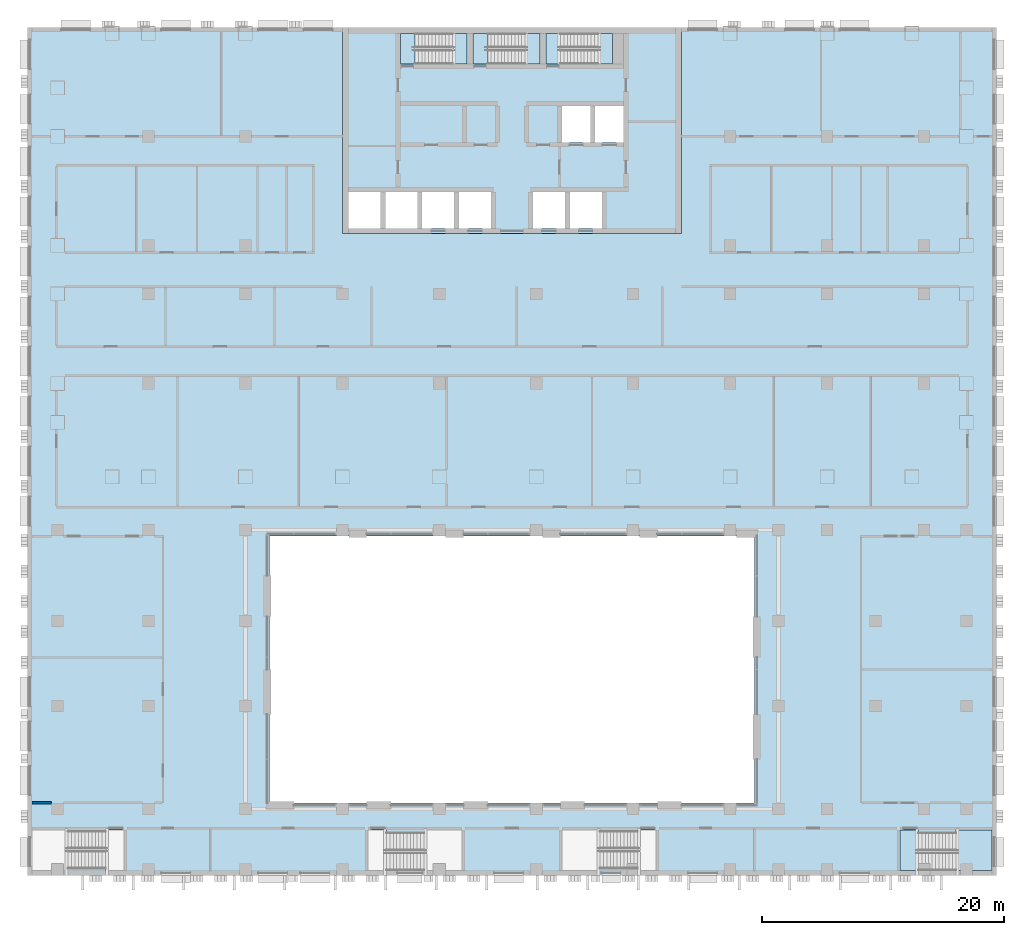
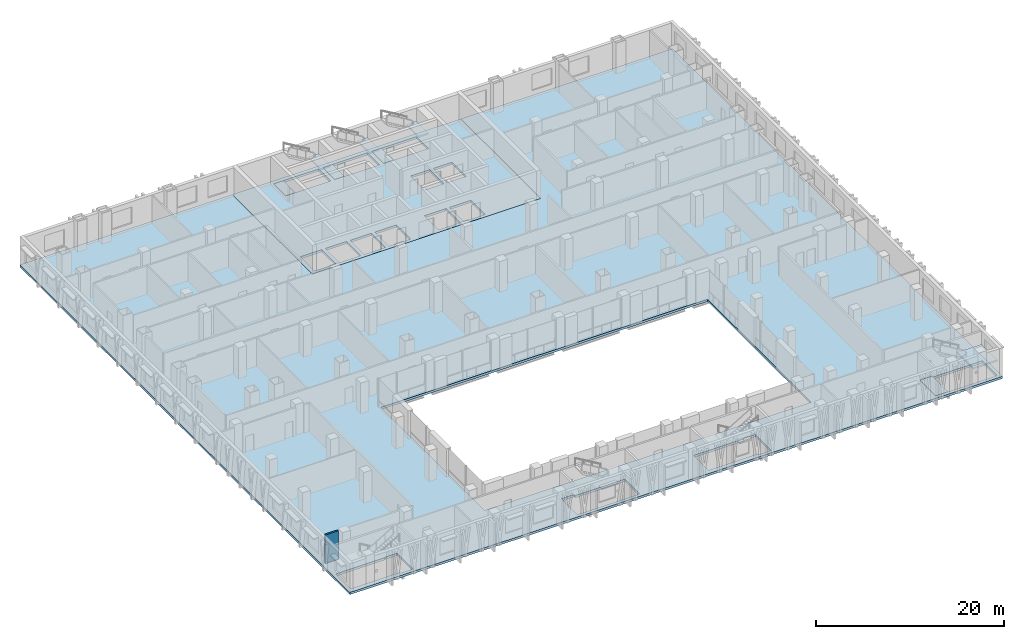
# One storey, part 7 of 26: 10 slabs, 1 wall, 4 elements without a shape of their own.
"""IFC4 building model written with IfcOpenShell, lengths in metres."""

from ifc_helpers import new_model, si_unit, direction, frame, frame_2d, origin, place, context, subcontext, project, spatial, polyline, rectangle, outline, extrude, material, layer, layer_set, type_object, element, aggregate, save


model = new_model("IFC4")

# Units and contexts
model_context = context("Model", 3, precision=1e-05, world=origin(), true_north=direction((0.0, 1.0)))
body_context = subcontext(model_context, "Body", "Model", "MODEL_VIEW")
ifc_project = project(units=[si_unit("LENGTHUNIT", "METRE"), si_unit("AREAUNIT", "SQUARE_METRE"), si_unit("VOLUMEUNIT", "CUBIC_METRE"), si_unit("PLANEANGLEUNIT", "RADIAN"), si_unit("MASSUNIT", "GRAM", prefix="KILO")], contexts=[model_context])

# Site, building, storey
site_placement = place(None, origin())
site = spatial("IfcSite", under=ifc_project, at=site_placement, CompositionType="ELEMENT")
building_placement = place(site_placement, origin())
building = spatial("IfcBuilding", under=site, at=building_placement, Name="Vidyagriha Tower", CompositionType="ELEMENT")
storey_placement = place(building_placement, frame((0.0, 0.0, 6.0)))
storey = spatial("IfcBuildingStorey", under=building, at=storey_placement, Name="L01", CompositionType="ELEMENT", Elevation=6.0)

# Slabs
ifc_material_1 = material(Name="Concrete C60/75", Category="concrete")
ifc_layer_1 = layer(ifc_material_1, 0.300048828125)
ifc_layer_set_1 = layer_set([ifc_layer_1], Name="Concrete C60/75")
slab_type_1 = type_object("IfcSlabType", Name="Core floor slab 300 mm", PredefinedType="FLOOR", material=ifc_layer_set_1)
slab_1_placement = place(storey_placement, frame((0.0, 0.0, -0.300048828125)))
element("IfcSlab", 1, at=slab_1_placement, inside=storey, type_object=slab_type_1, Name="L01 core floor 1", PredefinedType="FLOOR", context=body_context, shape_type="SweptSolid", body=[
    extrude(outline(polyline([(-14.0, 3.0), (-14.0, 20.0), (14.0, 20.0), (14.0, 3.0), (-14.0, 3.0)]), holes=[polyline([(9.199951171875, 13.5), (6.86669921875, 13.5), (6.86669921875, 10.5), (9.199951171875, 10.5), (9.199951171875, 13.5)]), polyline([(4.0, 19.5), (2.800048828125, 19.5), (2.800048828125, 16.949951171875), (4.0, 16.949951171875), (8.300048828125, 16.949951171875), (8.300048828125, 19.5), (4.0, 19.5)]), polyline([(7.4111328125, 6.39990234375), (4.7666015625, 6.39990234375), (4.7666015625, 3.39990234375), (7.4111328125, 3.39990234375), (7.4111328125, 6.39990234375)]), polyline([(6.466796875, 13.5), (4.13330078125, 13.5), (4.13330078125, 10.5), (6.466796875, 10.5), (6.466796875, 13.5)]), polyline([(1.72216796875, 6.39990234375), (1.72216796875, 3.39990234375), (4.36669921875, 3.39990234375), (4.36669921875, 6.39990234375), (1.72216796875, 6.39990234375)]), polyline([(-2.0, 16.949951171875), (2.300048828125, 16.949951171875), (2.300048828125, 19.5), (-2.0, 19.5), (-3.199951171875, 19.5), (-3.199951171875, 16.949951171875), (-2.0, 16.949951171875)]), polyline([(-1.72216796875, 6.39990234375), (-4.36669921875, 6.39990234375), (-4.36669921875, 3.39990234375), (-1.72216796875, 3.39990234375), (-1.72216796875, 6.39990234375)]), polyline([(-8.0, 19.5), (-9.199951171875, 19.5), (-9.199951171875, 16.949951171875), (-8.0, 16.949951171875), (-3.699951171875, 16.949951171875), (-3.699951171875, 19.5), (-8.0, 19.5)]), polyline([(-4.7666015625, 6.39990234375), (-7.4111328125, 6.39990234375), (-7.4111328125, 3.39990234375), (-4.7666015625, 3.39990234375), (-4.7666015625, 6.39990234375)]), polyline([(-7.81103515625, 6.39990234375), (-10.45556640625, 6.39990234375), (-10.45556640625, 3.39990234375), (-7.81103515625, 3.39990234375), (-7.81103515625, 6.39990234375)]), polyline([(-13.5, 6.39990234375), (-13.5, 3.39990234375), (-10.855712890625, 3.39990234375), (-10.855712890625, 6.39990234375), (-13.5, 6.39990234375)])]), origin(), (0.0, 0.0, 1.0), 0.300048828125),
])
ifc_material_2 = material(Name="Concrete C40/50", Category="concrete")
ifc_layer_2 = layer(ifc_material_2, 0.300048828125)
ifc_layer_set_2 = layer_set([ifc_layer_2], Name="Concrete C40/50")
slab_type_2 = type_object("IfcSlabType", Name="Exit stair floor landing 300 mm", PredefinedType="LANDING", material=ifc_layer_set_2)
slab_2_placement = place(storey_placement, frame((0.0, 0.0, -0.300048828125)))
element("IfcSlab", 2, at=slab_2_placement, inside=storey, type_object=slab_type_2, Name="ST1 floor landing L01", PredefinedType="LANDING", context=body_context, shape_type="SweptSolid", body=[
    extrude(outline(polyline([(-9.199951171875, 16.949951171875), (-8.0, 16.949951171875), (-8.0, 19.5), (-9.199951171875, 19.5), (-9.199951171875, 16.949951171875)])), origin(), (0.0, 0.0, 1.0), 0.300048828125),
])
slab_3_placement = place(storey_placement, frame((0.0, 0.0, -0.300048828125)))
element("IfcSlab", 3, at=slab_3_placement, inside=storey, type_object=slab_type_2, Name="ST2 floor landing L01", PredefinedType="LANDING", context=body_context, shape_type="SweptSolid", body=[
    extrude(outline(polyline([(-3.199951171875, 16.949951171875), (-2.0, 16.949951171875), (-2.0, 19.5), (-3.199951171875, 19.5), (-3.199951171875, 16.949951171875)])), origin(), (0.0, 0.0, 1.0), 0.300048828125),
])
slab_4_placement = place(storey_placement, frame((0.0, 0.0, -0.300048828125)))
element("IfcSlab", 4, at=slab_4_placement, inside=storey, type_object=slab_type_2, Name="ST3 floor landing L01", PredefinedType="LANDING", context=body_context, shape_type="SweptSolid", body=[
    extrude(outline(polyline([(2.800048828125, 16.949951171875), (4.0, 16.949951171875), (4.0, 19.5), (2.800048828125, 19.5), (2.800048828125, 16.949951171875)])), origin(), (0.0, 0.0, 1.0), 0.300048828125),
])

# Stair, slab
ifc_material_3 = material(Name="Concrete C40/50", Category="concrete")
stair_type_1 = type_object("IfcStairType", Name="Exit stair, half-turn, precast flights", PredefinedType="HALF_TURN_STAIR", material=ifc_material_3)
stair_1_placement = place(storey_placement, origin())
stair_1 = element("IfcStair", 5, at=stair_1_placement, inside=storey, type_object=stair_type_1, Name="L01 Exit Stair ST1", PredefinedType="HALF_TURN_STAIR")
ifc_material_4 = material(Name="Concrete C40/50", Category="concrete")
ifc_layer_3 = layer(ifc_material_4, 0.199951171875)
ifc_layer_set_3 = layer_set([ifc_layer_3], Name="Concrete C40/50")
slab_type_3 = type_object("IfcSlabType", Name="Exit stair landing 200 mm", PredefinedType="LANDING", material=ifc_layer_set_3)
slab_5_placement = place(storey_placement, frame((0.0, 0.0, 1.800048828125)))
slab_5 = element("IfcSlab", 6, at=slab_5_placement, type_object=slab_type_3, Name="ST1 landing 1", PredefinedType="LANDING", context=body_context, shape_type="SweptSolid", body=[
    extrude(outline(polyline([(-4.919921875, 16.949951171875), (-3.699951171875, 16.949951171875), (-3.699951171875, 19.5), (-4.919921875, 19.5), (-4.919921875, 16.949951171875)])), origin(), (0.0, 0.0, 1.0), 0.199951171875),
])
aggregate(stair_1, [slab_5])

stair_2_placement = place(storey_placement, origin())
stair_2 = element("IfcStair", 7, at=stair_2_placement, inside=storey, type_object=stair_type_1, Name="L01 Exit Stair ST2", PredefinedType="HALF_TURN_STAIR")
slab_6_placement = place(storey_placement, frame((0.0, 0.0, 1.800048828125)))
slab_6 = element("IfcSlab", 8, at=slab_6_placement, type_object=slab_type_3, Name="ST2 landing 1", PredefinedType="LANDING", context=body_context, shape_type="SweptSolid", body=[
    extrude(outline(polyline([(1.080078125, 16.949951171875), (2.300048828125, 16.949951171875), (2.300048828125, 19.5), (1.080078125, 19.5), (1.080078125, 16.949951171875)])), origin(), (0.0, 0.0, 1.0), 0.199951171875),
])
aggregate(stair_2, [slab_6])

stair_3_placement = place(storey_placement, origin())
stair_3 = element("IfcStair", 9, at=stair_3_placement, inside=storey, type_object=stair_type_1, Name="L01 Exit Stair ST3", PredefinedType="HALF_TURN_STAIR")
slab_7_placement = place(storey_placement, frame((0.0, 0.0, 1.800048828125)))
slab_7 = element("IfcSlab", 10, at=slab_7_placement, type_object=slab_type_3, Name="ST3 landing 1", PredefinedType="LANDING", context=body_context, shape_type="SweptSolid", body=[
    extrude(outline(polyline([(7.080078125, 16.949951171875), (8.300048828125, 16.949951171875), (8.300048828125, 19.5), (7.080078125, 19.5), (7.080078125, 16.949951171875)])), origin(), (0.0, 0.0, 1.0), 0.199951171875),
])
aggregate(stair_3, [slab_7])

ifc_material_5 = material(Name="Concrete C32/40", Category="concrete")
stair_type_2 = type_object("IfcStairType", Name="Podium Exit Stair 1500", PredefinedType="HALF_TURN_STAIR", material=ifc_material_5)
stair_4_placement = place(storey_placement, origin())
stair_4 = element("IfcStair", 11, at=stair_4_placement, inside=storey, type_object=stair_type_2, Name="L01 Exit Stair PS2", PredefinedType="HALF_TURN_STAIR")
ifc_material_6 = material(Name="Concrete C32/40", Category="concrete")
ifc_layer_4 = layer(ifc_material_6, 0.199951171875)
ifc_layer_set_4 = layer_set([ifc_layer_4], Name="Concrete C32/40")
slab_type_4 = type_object("IfcSlabType", Name="Podium Stair Landing 200", PredefinedType="LANDING", material=ifc_layer_set_4)
slab_8_placement = place(storey_placement, frame((0.0, 0.0, 1.800048828125)))
slab_8 = element("IfcSlab", 12, at=slab_8_placement, type_object=slab_type_4, Name="PS2 landing 1", PredefinedType="LANDING", context=body_context, shape_type="SweptSolid", body=[
    extrude(outline(polyline([(36.625, -49.60009765625), (39.60009765625, -49.60009765625), (39.60009765625, -46.22509765625), (36.625, -46.22509765625), (36.625, -49.60009765625)])), origin(), (0.0, 0.0, 1.0), 0.199951171875),
])
aggregate(stair_4, [slab_8])

# Slabs
ifc_material_7 = material(Name="Concrete C32/40", Category="concrete")
ifc_layer_5 = layer(ifc_material_7, 0.300048828125)
ifc_layer_set_5 = layer_set([ifc_layer_5], Name="Concrete C32/40")
slab_type_5 = type_object("IfcSlabType", Name="Podium stair floor landing 300 mm", PredefinedType="LANDING", material=ifc_layer_set_5)
slab_9_placement = place(storey_placement, frame((0.0, 0.0, -0.300048828125)))
element("IfcSlab", 13, at=slab_9_placement, inside=storey, type_object=slab_type_5, Name="PS2 floor landing L01", PredefinedType="LANDING", context=body_context, shape_type="SweptSolid", body=[
    extrude(outline(polyline([(32.02490234375, -49.60009765625), (33.544921875, -49.60009765625), (33.544921875, -46.22509765625), (32.02490234375, -46.22509765625), (32.02490234375, -49.60009765625)])), origin(), (0.0, 0.0, 1.0), 0.300048828125),
])
ifc_material_8 = material(Name="Concrete C50/60", Category="concrete")
ifc_layer_6 = layer(ifc_material_8, 0.300048828125)
ifc_layer_set_6 = layer_set([ifc_layer_6], Name="Concrete C50/60")
slab_type_6 = type_object("IfcSlabType", Name="Post-tensioned flat plate 300", PredefinedType="FLOOR", material=ifc_layer_set_6)
slab_10_placement = place(storey_placement, frame((0.0, 0.0, -0.300048828125)))
element("IfcSlab", 14, at=slab_10_placement, inside=storey, type_object=slab_type_6, Name="st-slab-L01-1", PredefinedType="FLOOR", context=body_context, shape_type="SweptSolid", body=[
    extrude(outline(polyline([(-40.0, 20.0), (-14.0, 20.0), (-14.0, 3.0), (14.0, 3.0), (14.0, 20.0), (40.0, 20.0), (40.0, -50.0), (-40.0, -50.0), (-40.0, 20.0)]), holes=[polyline([(-20.0, -22.0), (-20.0, -44.0), (20.0, -44.0), (20.0, -22.0), (-20.0, -22.0)]), polyline([(-33.544921875, -46.22509765625), (-33.544921875, -46.300048828125), (-39.574951171875, -46.300048828125), (-39.574951171875, -49.449951171875), (-33.544921875, -49.449951171875), (-33.544921875, -49.60009765625), (-32.02490234375, -49.60009765625), (-32.02490234375, -46.22509765625), (-33.544921875, -46.22509765625)]), polyline([(39.574951171875, -49.60009765625), (39.574951171875, -46.449951171875), (33.544921875, -46.449951171875), (33.544921875, -46.22509765625), (32.02490234375, -46.22509765625), (32.02490234375, -49.60009765625), (33.544921875, -49.60009765625), (39.574951171875, -49.60009765625)]), polyline([(-11.875, -49.60009765625), (-10.35498046875, -49.60009765625), (-4.2548828125, -49.60009765625), (-4.2548828125, -46.449951171875), (-10.35498046875, -46.449951171875), (-10.35498046875, -46.22509765625), (-11.875, -46.22509765625), (-11.875, -49.60009765625)]), polyline([(4.2548828125, -46.300048828125), (4.2548828125, -49.449951171875), (10.35498046875, -49.449951171875), (10.35498046875, -49.60009765625), (11.875, -49.60009765625), (11.875, -46.22509765625), (10.35498046875, -46.22509765625), (10.35498046875, -46.300048828125), (4.2548828125, -46.300048828125)])]), origin(), (0.0, 0.0, 1.0), 0.300048828125),
])

# Wall
ifc_material_9 = material(Name="Fire rated gypsum board on light gauge framing")
ifc_layer_7 = layer(ifc_material_9, 0.199951171875)
ifc_layer_set_7 = layer_set([ifc_layer_7], Name="Fire rated gypsum board on light gauge framing")
wall_type = type_object("IfcWallType", Name="Fire Rated Corridor Wall 200", PredefinedType="PARTITIONING", material=ifc_layer_set_7)
wall_placement = place(storey_placement, frame((-39.60009765625, -44.0, 0.0)))
element("IfcWall", 15, at=wall_placement, inside=storey, type_object=wall_type, Name="L01 Fire Rated Corridor Wall 200 007", PredefinedType="PARTITIONING", context=body_context, shape_type="SweptSolid", body=[
    extrude(rectangle(XDim=1.60009765625, YDim=0.199951171875, at=frame_2d((0.800048828125, 0.0))), origin(), (0.0, 0.0, 1.0), 3.699951171875),
])

save(model, "model.ifc")
